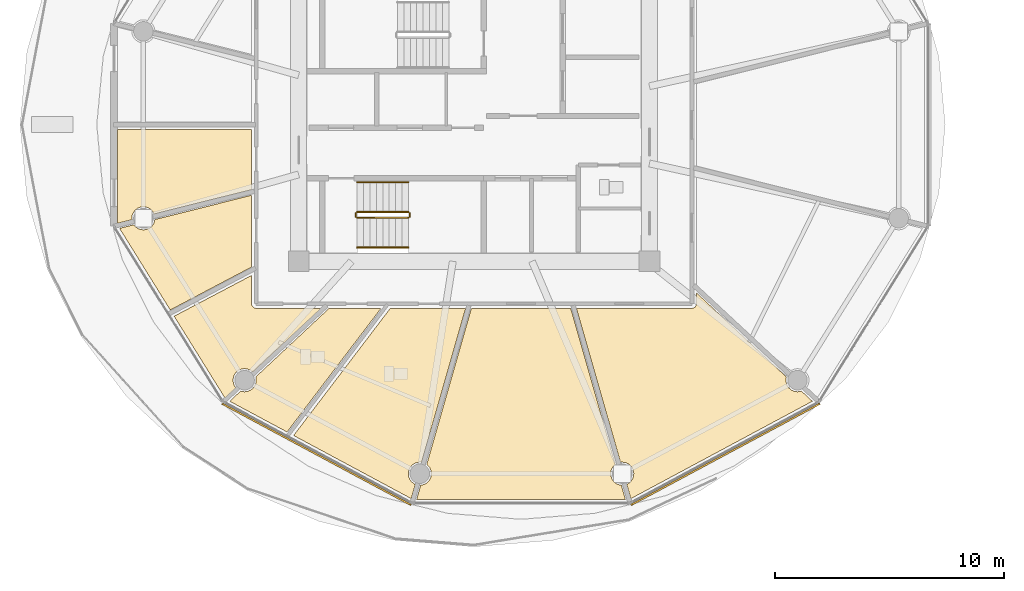
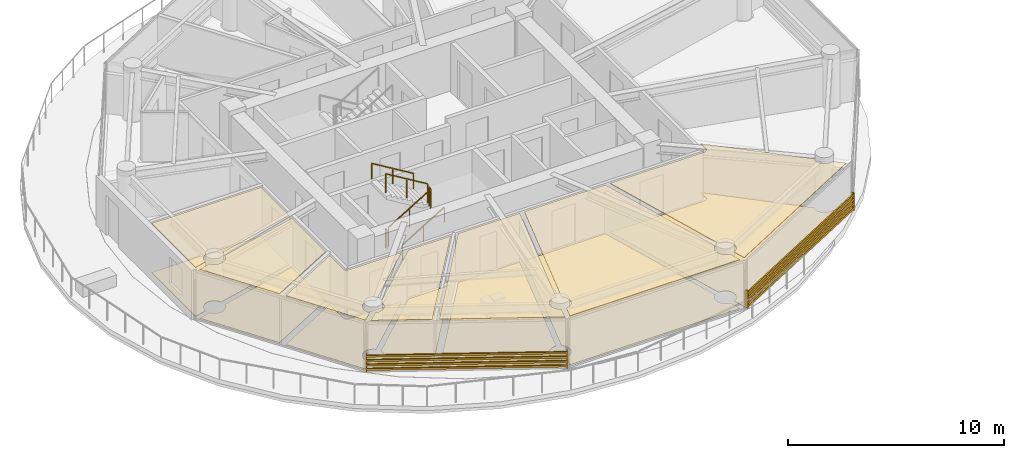
# One storey, part 22 of 32: 14 coverings, 6 railings, 2 shading devices.
"""IFC4 building model written with IfcOpenShell, lengths in metres."""

from ifc_helpers import new_model, si_unit, direction, frame, origin, origin_2d, place, context, subcontext, project, spatial, polyline, rectangle, outline, extrude, source, transform, mapped, material, layer, layer_set, type_object, type_shapes, element, save


model = new_model("IFC4")

# Units and contexts
model_context = context("Model", 3, precision=1e-05, world=origin(), true_north=direction((0.0, 1.0)))
body_context = subcontext(model_context, "Body", "Model", "MODEL_VIEW")
ifc_project = project(units=[si_unit("LENGTHUNIT", "METRE"), si_unit("AREAUNIT", "SQUARE_METRE"), si_unit("VOLUMEUNIT", "CUBIC_METRE"), si_unit("PLANEANGLEUNIT", "RADIAN"), si_unit("MASSUNIT", "GRAM", prefix="KILO")], contexts=[model_context])

# Site, building, storey
site_placement = place(None, origin())
site = spatial("IfcSite", under=ifc_project, at=site_placement, CompositionType="ELEMENT")
building_placement = place(site_placement, origin())
building = spatial("IfcBuilding", under=site, at=building_placement, Name="Norrkilde Senior Care Towers", CompositionType="ELEMENT")
storey_placement = place(building_placement, frame((0.0, 0.0, 77.949951171875)))
storey = spatial("IfcBuildingStorey", under=building, at=storey_placement, Name="L23", CompositionType="ELEMENT", Elevation=77.949951171875)

# Coverings
ifc_material_1 = material(Name="Nordic Ash Timber", Category="wood")
ifc_layer_1 = layer(ifc_material_1, 0.044921875)
ifc_layer_set_1 = layer_set([ifc_layer_1], Name="Nordic Ash Timber")
covering_type_1 = type_object("IfcCoveringType", Name="Acoustic Ash Timber Slatted Ceiling 45", PredefinedType="CEILING", material=ifc_layer_set_1)
covering_1_placement = place(storey_placement, frame((0.0, 0.0, 2.7451171875)))
element("IfcCovering", 1, at=covering_1_placement, inside=storey, type_object=covering_type_1, Name="L23 Suspended Ceiling 0211", PredefinedType="CEILING", context=body_context, shape_type="SweptSolid", body=[
    extrude(outline(polyline([(-30.502197265625, -16.33935546875), (-30.322998046875, -15.713134765625), (-30.232177734375, -15.701171875), (-30.1103515625, -15.650634765625), (-30.005859375, -15.5703125), (-29.925537109375, -15.4658203125), (-29.875, -15.343994140625), (-29.85791015625, -15.21337890625), (-29.875, -15.08251953125), (-29.925537109375, -14.9609375), (-30.005859375, -14.856201171875), (-30.064697265625, -14.81103515625), (-28.115234375, -8.0), (-23.784912109375, -8.0), (-21.835205078125, -14.81103515625), (-21.894287109375, -14.856201171875), (-21.974365234375, -14.9609375), (-22.02490234375, -15.08251953125), (-22.042236328125, -15.21337890625), (-22.02490234375, -15.343994140625), (-21.974365234375, -15.4658203125), (-21.894287109375, -15.5703125), (-21.78955078125, -15.650634765625), (-21.667724609375, -15.701171875), (-21.5771484375, -15.713134765625), (-21.397705078125, -16.33935546875), (-30.502197265625, -16.33935546875)])), origin(), (0.0, 0.0, 1.0), 0.044921875),
])
covering_2_placement = place(storey_placement, frame((0.0, 0.0, 2.7451171875)))
element("IfcCovering", 2, at=covering_2_placement, inside=storey, type_object=covering_type_1, Name="L23 Suspended Ceiling 0212", PredefinedType="CEILING", context=body_context, shape_type="SweptSolid", body=[
    extrude(outline(polyline([(-18.447509765625, -7.992919921875), (-18.436279296875, -7.989501953125), (-18.428955078125, -7.98681640625), (-18.41796875, -7.982421875), (-18.410888671875, -7.97900390625), (-18.400634765625, -7.973388671875), (-18.393798828125, -7.969482421875), (-18.384033203125, -7.962890625), (-18.377685546875, -7.958251953125), (-18.36865234375, -7.95068359375), (-18.36279296875, -7.945556640625), (-18.3544921875, -7.937255859375), (-18.34912109375, -7.931396484375), (-18.341796875, -7.92236328125), (-18.337158203125, -7.916015625), (-18.33056640625, -7.90625), (-18.326416015625, -7.8994140625), (-18.321044921875, -7.888916015625), (-18.317626953125, -7.8818359375), (-18.31298828125, -7.87109375), (-18.310546875, -7.86376953125), (-18.30712890625, -7.852294921875), (-18.30517578125, -7.8447265625), (-18.302734375, -7.833251953125), (-18.3017578125, -7.825439453125), (-18.300537109375, -7.813720703125), (-18.300048828125, -7.805908203125), (-18.300048828125, -7.800048828125), (-18.300048828125, -7.325439453125), (-14.377685546875, -10.9970703125), (-14.381591796875, -11.00634765625), (-14.39892578125, -11.136962890625), (-14.381591796875, -11.267578125), (-14.3310546875, -11.389404296875), (-14.2509765625, -11.494140625), (-14.146240234375, -11.57421875), (-14.0244140625, -11.624755859375), (-13.893798828125, -11.641845703125), (-13.76318359375, -11.624755859375), (-13.724365234375, -11.608642578125), (-13.2470703125, -12.055419921875), (-21.159423828125, -16.2998046875), (-21.3388671875, -15.673095703125), (-21.28466796875, -15.650634765625), (-21.179931640625, -15.5703125), (-21.099853515625, -15.4658203125), (-21.04931640625, -15.343994140625), (-21.0322265625, -15.21337890625), (-21.04931640625, -15.08251953125), (-21.099853515625, -14.9609375), (-21.179931640625, -14.856201171875), (-21.28466796875, -14.77587890625), (-21.406494140625, -14.7255859375), (-21.537109375, -14.708251953125), (-21.612060546875, -14.71826171875), (-23.53515625, -8.0), (-18.5, -8.0), (-18.494140625, -7.999755859375), (-18.486328125, -7.99951171875), (-18.474609375, -7.998291015625), (-18.466796875, -7.9970703125), (-18.455322265625, -7.994873046875), (-18.447509765625, -7.992919921875)])), origin(), (0.0, 0.0, 1.0), 0.044921875),
])
ifc_material_2 = material(Name="Gypsum Acoustic Board")
ifc_layer_2 = layer(ifc_material_2, 0.030029296875)
ifc_layer_set_2 = layer_set([ifc_layer_2], Name="Gypsum Acoustic Board")
covering_type_2 = type_object("IfcCoveringType", Name="Medical Cleanable Gypsum Ceiling 30", PredefinedType="CEILING", material=ifc_layer_set_2)
covering_3_placement = place(storey_placement, frame((0.0, 0.0, 2.760009765625)))
element("IfcCovering", 3, at=covering_3_placement, inside=storey, type_object=covering_type_2, Name="L23 Suspended Ceiling 0209", PredefinedType="CEILING", context=body_context, shape_type="SweptSolid", body=[
    extrude(outline(polyline([(-38.65283203125, -12.055419921875), (-38.17578125, -11.608642578125), (-38.136962890625, -11.624755859375), (-38.006103515625, -11.641845703125), (-37.87548828125, -11.624755859375), (-37.753662109375, -11.57421875), (-37.649169921875, -11.494140625), (-37.56884765625, -11.389404296875), (-37.518310546875, -11.267578125), (-37.501220703125, -11.136962890625), (-37.518310546875, -11.00634765625), (-37.522216796875, -10.9970703125), (-34.320556640625, -8.0), (-32.053466796875, -8.0), (-36.154541015625, -13.3955078125), (-38.65283203125, -12.055419921875)])), origin(), (0.0, 0.0, 1.0), 0.030029296875),
])
covering_4_placement = place(storey_placement, frame((0.0, 0.0, 2.760009765625)))
element("IfcCovering", 4, at=covering_4_placement, inside=storey, type_object=covering_type_2, Name="L23 Suspended Ceiling 0210", PredefinedType="CEILING", context=body_context, shape_type="SweptSolid", body=[
    extrude(outline(polyline([(-28.36474609375, -8.0), (-30.287841796875, -14.71826171875), (-30.36279296875, -14.708251953125), (-30.49365234375, -14.7255859375), (-30.615478515625, -14.77587890625), (-30.719970703125, -14.856201171875), (-30.80029296875, -14.9609375), (-30.8505859375, -15.08251953125), (-30.867919921875, -15.21337890625), (-30.8505859375, -15.343994140625), (-30.80029296875, -15.4658203125), (-30.719970703125, -15.5703125), (-30.615478515625, -15.650634765625), (-30.561279296875, -15.673095703125), (-30.740478515625, -16.2998046875), (-35.868896484375, -13.548828125), (-31.65234375, -8.0009765625), (-31.651611328125, -8.0), (-28.36474609375, -8.0)])), origin(), (0.0, 0.0, 1.0), 0.030029296875),
])
covering_5_placement = place(storey_placement, frame((0.0, 0.0, 2.760009765625)))
element("IfcCovering", 5, at=covering_5_placement, inside=storey, type_object=covering_type_2, Name="L23 Suspended Ceiling 0224", PredefinedType="CEILING", context=body_context, shape_type="SweptSolid", body=[
    extrude(outline(polyline([(-37.699951171875, -0.199951171875), (-37.699951171875, -2.823486328125), (-41.9541015625, -3.890380859375), (-41.981689453125, -3.823974609375), (-42.06201171875, -3.71923828125), (-42.16650390625, -3.63916015625), (-42.288330078125, -3.588623046875), (-42.4189453125, -3.5712890625), (-42.5498046875, -3.588623046875), (-42.671630859375, -3.63916015625), (-42.776123046875, -3.71923828125), (-42.8564453125, -3.823974609375), (-42.90673828125, -3.94580078125), (-42.924072265625, -4.076416015625), (-42.916748046875, -4.1318359375), (-43.545166015625, -4.28955078125), (-43.545166015625, -0.199951171875), (-37.699951171875, -0.199951171875)])), origin(), (0.0, 0.0, 1.0), 0.030029296875),
])
covering_6_placement = place(storey_placement, frame((0.0, 0.0, 2.760009765625)))
element("IfcCovering", 6, at=covering_6_placement, inside=storey, type_object=covering_type_2, Name="L23 Suspended Ceiling 0225", PredefinedType="CEILING", context=body_context, shape_type="SweptSolid", body=[
    extrude(outline(polyline([(-42.833740234375, -4.358642578125), (-42.776123046875, -4.43359375), (-42.671630859375, -4.513671875), (-42.5498046875, -4.564208984375), (-42.4189453125, -4.581298828125), (-42.288330078125, -4.564208984375), (-42.16650390625, -4.513671875), (-42.06201171875, -4.43359375), (-41.981689453125, -4.328857421875), (-41.93115234375, -4.20703125), (-41.921142578125, -4.129638671875), (-37.699951171875, -3.07080078125), (-37.699951171875, -6.20166015625), (-41.24755859375, -8.0732421875), (-43.45849609375, -4.515380859375), (-42.833740234375, -4.358642578125)])), origin(), (0.0, 0.0, 1.0), 0.030029296875),
])
covering_7_placement = place(storey_placement, frame((0.0, 0.0, 2.760009765625)))
element("IfcCovering", 7, at=covering_7_placement, inside=storey, type_object=covering_type_2, Name="L23 Suspended Ceiling 0226", PredefinedType="CEILING", context=body_context, shape_type="SweptSolid", body=[
    extrude(outline(polyline([(-37.6982421875, -7.825439453125), (-37.697265625, -7.833251953125), (-37.69482421875, -7.8447265625), (-37.69287109375, -7.852294921875), (-37.689453125, -7.86376953125), (-37.68701171875, -7.87109375), (-37.682373046875, -7.8818359375), (-37.678955078125, -7.888916015625), (-37.673583984375, -7.8994140625), (-37.66943359375, -7.90625), (-37.662841796875, -7.916015625), (-37.658203125, -7.92236328125), (-37.65087890625, -7.931396484375), (-37.6455078125, -7.937255859375), (-37.63720703125, -7.945556640625), (-37.63134765625, -7.95068359375), (-37.622314453125, -7.958251953125), (-37.615966796875, -7.962890625), (-37.606201171875, -7.969482421875), (-37.599365234375, -7.973388671875), (-37.589111328125, -7.97900390625), (-37.58203125, -7.982421875), (-37.571044921875, -7.98681640625), (-37.563720703125, -7.989501953125), (-37.552490234375, -7.992919921875), (-37.544677734375, -7.994873046875), (-37.533203125, -7.9970703125), (-37.525390625, -7.998291015625), (-37.513671875, -7.99951171875), (-37.505859375, -7.999755859375), (-37.5, -8.0), (-34.671875, -8.0), (-37.64599609375, -10.783935546875), (-37.649169921875, -10.77978515625), (-37.753662109375, -10.69970703125), (-37.87548828125, -10.649169921875), (-38.006103515625, -10.6318359375), (-38.136962890625, -10.649169921875), (-38.2587890625, -10.69970703125), (-38.36328125, -10.77978515625), (-38.443603515625, -10.884521484375), (-38.493896484375, -11.00634765625), (-38.51123046875, -11.136962890625), (-38.493896484375, -11.267578125), (-38.443603515625, -11.389404296875), (-38.38037109375, -11.4716796875), (-38.858154296875, -11.918701171875), (-41.078369140625, -8.345703125), (-37.699951171875, -6.5634765625), (-37.699951171875, -7.800048828125), (-37.699951171875, -7.805908203125), (-37.699462890625, -7.813720703125), (-37.6982421875, -7.825439453125)])), origin(), (0.0, 0.0, 1.0), 0.030029296875),
])
ifc_material_3 = material(Name="Slip-Resistant Porcelain Stone", Category="masonry")
ifc_layer_3 = layer(ifc_material_3, 0.02490234375)
ifc_layer_set_3 = layer_set([ifc_layer_3], Name="Slip-Resistant Porcelain Stone")
covering_type_3 = type_object("IfcCoveringType", Name="Slip-Resistant Porcelain Flooring 25", PredefinedType="FLOORING", material=ifc_layer_set_3)
covering_8_placement = place(storey_placement, origin())
element("IfcCovering", 8, at=covering_8_placement, inside=storey, type_object=covering_type_3, Name="L23 Floor Finish 0209", PredefinedType="FLOORING", context=body_context, shape_type="SweptSolid", body=[
    extrude(outline(polyline([(-38.65283203125, -12.055419921875), (-38.17578125, -11.608642578125), (-38.136962890625, -11.624755859375), (-38.006103515625, -11.641845703125), (-37.87548828125, -11.624755859375), (-37.753662109375, -11.57421875), (-37.649169921875, -11.494140625), (-37.56884765625, -11.389404296875), (-37.518310546875, -11.267578125), (-37.501220703125, -11.136962890625), (-37.518310546875, -11.00634765625), (-37.522216796875, -10.9970703125), (-34.320556640625, -8.0), (-32.053466796875, -8.0), (-36.154541015625, -13.3955078125), (-38.65283203125, -12.055419921875)])), origin(), (0.0, 0.0, 1.0), 0.025146484375),
])
covering_9_placement = place(storey_placement, origin())
element("IfcCovering", 9, at=covering_9_placement, inside=storey, type_object=covering_type_3, Name="L23 Floor Finish 0210", PredefinedType="FLOORING", context=body_context, shape_type="SweptSolid", body=[
    extrude(outline(polyline([(-28.36474609375, -8.0), (-30.287841796875, -14.71826171875), (-30.36279296875, -14.708251953125), (-30.49365234375, -14.7255859375), (-30.615478515625, -14.77587890625), (-30.719970703125, -14.856201171875), (-30.80029296875, -14.9609375), (-30.8505859375, -15.08251953125), (-30.867919921875, -15.21337890625), (-30.8505859375, -15.343994140625), (-30.80029296875, -15.4658203125), (-30.719970703125, -15.5703125), (-30.615478515625, -15.650634765625), (-30.561279296875, -15.673095703125), (-30.740478515625, -16.2998046875), (-35.868896484375, -13.548828125), (-31.65234375, -8.0009765625), (-31.651611328125, -8.0), (-28.36474609375, -8.0)])), origin(), (0.0, 0.0, 1.0), 0.025146484375),
])
covering_10_placement = place(storey_placement, origin())
element("IfcCovering", 10, at=covering_10_placement, inside=storey, type_object=covering_type_3, Name="L23 Floor Finish 0211", PredefinedType="FLOORING", context=body_context, shape_type="SweptSolid", body=[
    extrude(outline(polyline([(-30.502197265625, -16.33935546875), (-30.322998046875, -15.713134765625), (-30.232177734375, -15.701171875), (-30.1103515625, -15.650634765625), (-30.005859375, -15.5703125), (-29.925537109375, -15.4658203125), (-29.875, -15.343994140625), (-29.85791015625, -15.21337890625), (-29.875, -15.08251953125), (-29.925537109375, -14.9609375), (-30.005859375, -14.856201171875), (-30.064697265625, -14.81103515625), (-28.115234375, -8.0), (-23.784912109375, -8.0), (-21.835205078125, -14.81103515625), (-21.894287109375, -14.856201171875), (-21.974365234375, -14.9609375), (-22.02490234375, -15.08251953125), (-22.042236328125, -15.21337890625), (-22.02490234375, -15.343994140625), (-21.974365234375, -15.4658203125), (-21.894287109375, -15.5703125), (-21.78955078125, -15.650634765625), (-21.667724609375, -15.701171875), (-21.5771484375, -15.713134765625), (-21.397705078125, -16.33935546875), (-30.502197265625, -16.33935546875)])), origin(), (0.0, 0.0, 1.0), 0.025146484375),
])
covering_11_placement = place(storey_placement, origin())
element("IfcCovering", 11, at=covering_11_placement, inside=storey, type_object=covering_type_3, Name="L23 Floor Finish 0212", PredefinedType="FLOORING", context=body_context, shape_type="SweptSolid", body=[
    extrude(outline(polyline([(-18.447509765625, -7.992919921875), (-18.436279296875, -7.989501953125), (-18.428955078125, -7.98681640625), (-18.41796875, -7.982421875), (-18.410888671875, -7.97900390625), (-18.400634765625, -7.973388671875), (-18.393798828125, -7.969482421875), (-18.384033203125, -7.962890625), (-18.377685546875, -7.958251953125), (-18.36865234375, -7.95068359375), (-18.36279296875, -7.945556640625), (-18.3544921875, -7.937255859375), (-18.34912109375, -7.931396484375), (-18.341796875, -7.92236328125), (-18.337158203125, -7.916015625), (-18.33056640625, -7.90625), (-18.326416015625, -7.8994140625), (-18.321044921875, -7.888916015625), (-18.317626953125, -7.8818359375), (-18.31298828125, -7.87109375), (-18.310546875, -7.86376953125), (-18.30712890625, -7.852294921875), (-18.30517578125, -7.8447265625), (-18.302734375, -7.833251953125), (-18.3017578125, -7.825439453125), (-18.300537109375, -7.813720703125), (-18.300048828125, -7.805908203125), (-18.300048828125, -7.800048828125), (-18.300048828125, -7.325439453125), (-14.377685546875, -10.9970703125), (-14.381591796875, -11.00634765625), (-14.39892578125, -11.136962890625), (-14.381591796875, -11.267578125), (-14.3310546875, -11.389404296875), (-14.2509765625, -11.494140625), (-14.146240234375, -11.57421875), (-14.0244140625, -11.624755859375), (-13.893798828125, -11.641845703125), (-13.76318359375, -11.624755859375), (-13.724365234375, -11.608642578125), (-13.2470703125, -12.055419921875), (-21.159423828125, -16.2998046875), (-21.3388671875, -15.673095703125), (-21.28466796875, -15.650634765625), (-21.179931640625, -15.5703125), (-21.099853515625, -15.4658203125), (-21.04931640625, -15.343994140625), (-21.0322265625, -15.21337890625), (-21.04931640625, -15.08251953125), (-21.099853515625, -14.9609375), (-21.179931640625, -14.856201171875), (-21.28466796875, -14.77587890625), (-21.406494140625, -14.7255859375), (-21.537109375, -14.708251953125), (-21.612060546875, -14.71826171875), (-23.53515625, -8.0), (-18.5, -8.0), (-18.494140625, -7.999755859375), (-18.486328125, -7.99951171875), (-18.474609375, -7.998291015625), (-18.466796875, -7.9970703125), (-18.455322265625, -7.994873046875), (-18.447509765625, -7.992919921875)])), origin(), (0.0, 0.0, 1.0), 0.025146484375),
])
covering_12_placement = place(storey_placement, origin())
element("IfcCovering", 12, at=covering_12_placement, inside=storey, type_object=covering_type_3, Name="L23 Floor Finish 0224", PredefinedType="FLOORING", context=body_context, shape_type="SweptSolid", body=[
    extrude(outline(polyline([(-37.699951171875, -0.199951171875), (-37.699951171875, -2.823486328125), (-41.9541015625, -3.890380859375), (-41.981689453125, -3.823974609375), (-42.06201171875, -3.71923828125), (-42.16650390625, -3.63916015625), (-42.288330078125, -3.588623046875), (-42.4189453125, -3.5712890625), (-42.5498046875, -3.588623046875), (-42.671630859375, -3.63916015625), (-42.776123046875, -3.71923828125), (-42.8564453125, -3.823974609375), (-42.90673828125, -3.94580078125), (-42.924072265625, -4.076416015625), (-42.916748046875, -4.1318359375), (-43.545166015625, -4.28955078125), (-43.545166015625, -0.199951171875), (-37.699951171875, -0.199951171875)])), origin(), (0.0, 0.0, 1.0), 0.025146484375),
])
covering_13_placement = place(storey_placement, origin())
element("IfcCovering", 13, at=covering_13_placement, inside=storey, type_object=covering_type_3, Name="L23 Floor Finish 0225", PredefinedType="FLOORING", context=body_context, shape_type="SweptSolid", body=[
    extrude(outline(polyline([(-42.833740234375, -4.358642578125), (-42.776123046875, -4.43359375), (-42.671630859375, -4.513671875), (-42.5498046875, -4.564208984375), (-42.4189453125, -4.581298828125), (-42.288330078125, -4.564208984375), (-42.16650390625, -4.513671875), (-42.06201171875, -4.43359375), (-41.981689453125, -4.328857421875), (-41.93115234375, -4.20703125), (-41.921142578125, -4.129638671875), (-37.699951171875, -3.07080078125), (-37.699951171875, -6.20166015625), (-41.24755859375, -8.0732421875), (-43.45849609375, -4.515380859375), (-42.833740234375, -4.358642578125)])), origin(), (0.0, 0.0, 1.0), 0.025146484375),
])
covering_14_placement = place(storey_placement, origin())
element("IfcCovering", 14, at=covering_14_placement, inside=storey, type_object=covering_type_3, Name="L23 Floor Finish 0226", PredefinedType="FLOORING", context=body_context, shape_type="SweptSolid", body=[
    extrude(outline(polyline([(-37.6982421875, -7.825439453125), (-37.697265625, -7.833251953125), (-37.69482421875, -7.8447265625), (-37.69287109375, -7.852294921875), (-37.689453125, -7.86376953125), (-37.68701171875, -7.87109375), (-37.682373046875, -7.8818359375), (-37.678955078125, -7.888916015625), (-37.673583984375, -7.8994140625), (-37.66943359375, -7.90625), (-37.662841796875, -7.916015625), (-37.658203125, -7.92236328125), (-37.65087890625, -7.931396484375), (-37.6455078125, -7.937255859375), (-37.63720703125, -7.945556640625), (-37.63134765625, -7.95068359375), (-37.622314453125, -7.958251953125), (-37.615966796875, -7.962890625), (-37.606201171875, -7.969482421875), (-37.599365234375, -7.973388671875), (-37.589111328125, -7.97900390625), (-37.58203125, -7.982421875), (-37.571044921875, -7.98681640625), (-37.563720703125, -7.989501953125), (-37.552490234375, -7.992919921875), (-37.544677734375, -7.994873046875), (-37.533203125, -7.9970703125), (-37.525390625, -7.998291015625), (-37.513671875, -7.99951171875), (-37.505859375, -7.999755859375), (-37.5, -8.0), (-34.671875, -8.0), (-37.64599609375, -10.783935546875), (-37.649169921875, -10.77978515625), (-37.753662109375, -10.69970703125), (-37.87548828125, -10.649169921875), (-38.006103515625, -10.6318359375), (-38.136962890625, -10.649169921875), (-38.2587890625, -10.69970703125), (-38.36328125, -10.77978515625), (-38.443603515625, -10.884521484375), (-38.493896484375, -11.00634765625), (-38.51123046875, -11.136962890625), (-38.493896484375, -11.267578125), (-38.443603515625, -11.389404296875), (-38.38037109375, -11.4716796875), (-38.858154296875, -11.918701171875), (-41.078369140625, -8.345703125), (-37.699951171875, -6.5634765625), (-37.699951171875, -7.800048828125), (-37.699951171875, -7.805908203125), (-37.699462890625, -7.813720703125), (-37.6982421875, -7.825439453125)])), origin(), (0.0, 0.0, 1.0), 0.025146484375),
])

# Railings
ifc_material_4 = material(Name="Stainless Steel", Category="steel")
railing_type_1 = type_object("IfcRailingType", Name="Stair and Terrace Guardrail 1100", PredefinedType="GUARDRAIL", material=ifc_material_4)
railing_1_placement = place(storey_placement, frame((-33.10009765625, -4.050048828125, 0.16943359375)))
element("IfcRailing", 15, at=railing_1_placement, inside=storey, type_object=railing_type_1, Name="L23 ST-W2 stair guard 1", PredefinedType="GUARDRAIL", context=body_context, shape_type="SweptSolid", body=[
    extrude(rectangle(XDim=0.048095703125, YDim=0.048095703125, at=origin_2d()), frame((0.0, 0.0, 1.076171875), z_axis=(0.855512035549, 0.0, 0.517782924622), x_axis=(0.0, 1.0, 0.0)), (0.0, 0.0, 1.0), 2.618408203125),
    extrude(rectangle(XDim=0.0419921875, YDim=0.0419921875, at=origin_2d()), origin(), (0.0, 0.0, 1.0), 1.050048828125),
    extrude(rectangle(XDim=0.0419921875, YDim=0.0419921875, at=origin_2d()), frame((1.1201171875, 0.0, 0.677734375)), (0.0, 0.0, 1.0), 1.050048828125),
    extrude(rectangle(XDim=0.0419921875, YDim=0.0419921875, at=origin_2d()), frame((2.239990234375, 0.0, 1.355712890625)), (0.0, 0.0, 1.0), 1.050048828125),
])
railing_2_placement = place(storey_placement, frame((-30.81005859375, -4.0, 1.525146484375)))
element("IfcRailing", 16, at=railing_2_placement, inside=storey, type_object=railing_type_1, Name="L23 ST-W2 stair guard 2", PredefinedType="GUARDRAIL", context=body_context, shape_type="SweptSolid", body=[
    extrude(rectangle(XDim=0.048095703125, YDim=0.048095703125, at=origin_2d()), frame((0.0, 0.0, 1.076171875), z_axis=(0.0, 1.0, 0.0), x_axis=(-1.0, 0.0, 0.0)), (0.0, 0.0, 1.0), 0.14990234375),
    extrude(rectangle(XDim=0.0419921875, YDim=0.0419921875, at=origin_2d()), origin(), (0.0, 0.0, 1.0), 1.050048828125),
    extrude(rectangle(XDim=0.0419921875, YDim=0.0419921875, at=origin_2d()), frame((0.0, 0.14990234375, 0.0)), (0.0, 0.0, 1.0), 1.050048828125),
])
railing_3_placement = place(storey_placement, frame((-30.860107421875, -3.800048828125, 1.694580078125)))
element("IfcRailing", 17, at=railing_3_placement, inside=storey, type_object=railing_type_1, Name="L23 ST-W2 stair guard 3", PredefinedType="GUARDRAIL", context=body_context, shape_type="SweptSolid", body=[
    extrude(rectangle(XDim=0.048095703125, YDim=0.048095703125, at=origin_2d()), frame((0.0, 0.0, 1.076171875), z_axis=(-0.855553338991, 0.0, 0.51771467445), x_axis=(0.0, -1.0, 0.0)), (0.0, 0.0, 1.0), 2.6181640625),
    extrude(rectangle(XDim=0.0419921875, YDim=0.0419921875, at=origin_2d()), origin(), (0.0, 0.0, 1.0), 1.050048828125),
    extrude(rectangle(XDim=0.0419921875, YDim=0.0419921875, at=origin_2d()), frame((-1.1201171875, 0.0, 0.677734375)), (0.0, 0.0, 1.0), 1.050048828125),
    extrude(rectangle(XDim=0.0419921875, YDim=0.0419921875, at=origin_2d()), frame((-2.239990234375, 0.0, 1.35546875)), (0.0, 0.0, 1.0), 1.050048828125),
])
railing_4_placement = place(storey_placement, frame((-33.14990234375, -4.0, 0.0)))
element("IfcRailing", 18, at=railing_4_placement, inside=storey, type_object=railing_type_1, Name="L23 ST-W2 stair guard 4", PredefinedType="GUARDRAIL", context=body_context, shape_type="SweptSolid", body=[
    extrude(rectangle(XDim=0.048095703125, YDim=0.048095703125, at=origin_2d()), frame((0.0, 0.0, 1.076171875), z_axis=(0.0, 1.0, 0.0), x_axis=(-1.0, 0.0, 0.0)), (0.0, 0.0, 1.0), 0.14990234375),
    extrude(rectangle(XDim=0.0419921875, YDim=0.0419921875, at=origin_2d()), origin(), (0.0, 0.0, 1.0), 1.050048828125),
    extrude(rectangle(XDim=0.0419921875, YDim=0.0419921875, at=origin_2d()), frame((0.0, 0.14990234375, 0.0)), (0.0, 0.0, 1.0), 1.050048828125),
])
railing_type_2 = type_object("IfcRailingType", Name="Wall and Stair Handrail 900", PredefinedType="HANDRAIL", material=ifc_material_1)
railing_5_placement = place(storey_placement, frame((-33.10009765625, -5.35009765625, 0.16943359375)))
element("IfcRailing", 19, at=railing_5_placement, inside=storey, type_object=railing_type_2, Name="L23 ST-W2 stair handrail 1", PredefinedType="HANDRAIL", context=body_context, shape_type="SweptSolid", body=[
    extrude(rectangle(XDim=0.048095703125, YDim=0.048095703125, at=origin_2d()), frame((0.0, 0.0, 0.8759765625), z_axis=(0.855512035549, 0.0, 0.517782924622), x_axis=(0.0, 1.0, 0.0)), (0.0, 0.0, 1.0), 2.618408203125),
    extrude(rectangle(XDim=0.0419921875, YDim=0.0419921875, at=origin_2d()), origin(), (0.0, 0.0, 1.0), 0.849853515625),
    extrude(rectangle(XDim=0.0419921875, YDim=0.0419921875, at=origin_2d()), frame((1.1201171875, 0.0, 0.677734375)), (0.0, 0.0, 1.0), 0.849853515625),
    extrude(rectangle(XDim=0.0419921875, YDim=0.0419921875, at=origin_2d()), frame((2.239990234375, 0.0, 1.355712890625)), (0.0, 0.0, 1.0), 0.849853515625),
])
railing_6_placement = place(storey_placement, frame((-30.860107421875, -2.5, 1.694580078125)))
element("IfcRailing", 20, at=railing_6_placement, inside=storey, type_object=railing_type_2, Name="L23 ST-W2 stair handrail 2", PredefinedType="HANDRAIL", context=body_context, shape_type="SweptSolid", body=[
    extrude(rectangle(XDim=0.048095703125, YDim=0.048095703125, at=origin_2d()), frame((0.0, 0.0, 0.8759765625), z_axis=(-0.855553338991, 0.0, 0.51771467445), x_axis=(0.0, -1.0, 0.0)), (0.0, 0.0, 1.0), 2.6181640625),
    extrude(rectangle(XDim=0.0419921875, YDim=0.0419921875, at=origin_2d()), origin(), (0.0, 0.0, 1.0), 0.849853515625),
    extrude(rectangle(XDim=0.0419921875, YDim=0.0419921875, at=origin_2d()), frame((-1.1201171875, 0.0, 0.677734375)), (0.0, 0.0, 1.0), 0.849853515625),
    extrude(rectangle(XDim=0.0419921875, YDim=0.0419921875, at=origin_2d()), frame((-2.239990234375, 0.0, 1.35546875)), (0.0, 0.0, 1.0), 0.849853515625),
])

# Shading devices
ifc_material_5 = material(Name="Architectural Terracotta", Category="masonry")
shading_device_type = type_object("IfcShadingDeviceType", Name="Horizontal Terracotta Baguette Rack", PredefinedType="USERDEFINED", material=ifc_material_5)
shared_shape = source(origin(), body_context, "Body", "SweptSolid", [
    extrude(rectangle(XDim=0.070068359375, YDim=0.110107421875, at=origin_2d()), frame((0.0, 0.090087890625, 0.125), z_axis=(1.0, 0.0, 0.0), x_axis=(0.0, 1.0, 0.0)), (0.0, 0.0, 1.0), 9.3505859375),
    extrude(rectangle(XDim=0.070068359375, YDim=0.110107421875, at=origin_2d()), frame((0.0, 0.090087890625, 0.375), z_axis=(1.0, 0.0, 0.0), x_axis=(0.0, 1.0, 0.0)), (0.0, 0.0, 1.0), 9.3505859375),
    extrude(rectangle(XDim=0.070068359375, YDim=0.110107421875, at=origin_2d()), frame((0.0, 0.090087890625, 0.625), z_axis=(1.0, 0.0, 0.0), x_axis=(0.0, 1.0, 0.0)), (0.0, 0.0, 1.0), 9.3505859375),
    extrude(rectangle(XDim=0.070068359375, YDim=0.110107421875, at=origin_2d()), frame((0.0, 0.090087890625, 0.875), z_axis=(1.0, 0.0, 0.0), x_axis=(0.0, 1.0, 0.0)), (0.0, 0.0, 1.0), 9.3505859375),
    extrude(rectangle(XDim=0.050048828125, YDim=0.1552734375, at=origin_2d()), frame((0.02490234375, 0.047607421875, 0.0)), (0.0, 0.0, 1.0), 1.0),
    extrude(rectangle(XDim=0.050048828125, YDim=0.1552734375, at=origin_2d()), frame((9.32568359375, 0.047607421875, 0.0)), (0.0, 0.0, 1.0), 1.0),
])
type_shapes(shading_device_type, [shared_shape])
for number, where, z_axis, x_axis, name in (
    (21, (-30.70703125, -16.498046875, 0.080078125), (0.0, 0.0, 1.0), (-0.881174934726, 0.472767624021, 0.0), "L23 Drum W Terracotta Baguette Screen 07"),
    (22, (-12.953369140625, -12.077392578125, 0.080078125), (0.0, 0.0, 1.0), (-0.881174934726, -0.472767624021, 0.0), "L23 Drum W Terracotta Baguette Screen 09"),
):
    element("IfcShadingDevice", number, at=place(storey_placement, frame(where, z_axis=z_axis, x_axis=x_axis)), inside=storey, type_object=shading_device_type, Name=name, ObjectType="BAGUETTE", PredefinedType="USERDEFINED", context=body_context, shape_type="MappedRepresentation", body=[
        mapped(shared_shape, transform((0.0, 0.0, 0.0), x_axis=(1.0, 0.0, 0.0), y_axis=(0.0, 1.0, 0.0), z_axis=(0.0, 0.0, 1.0), scale=1.0)),
    ])

save(model, "model.ifc")
